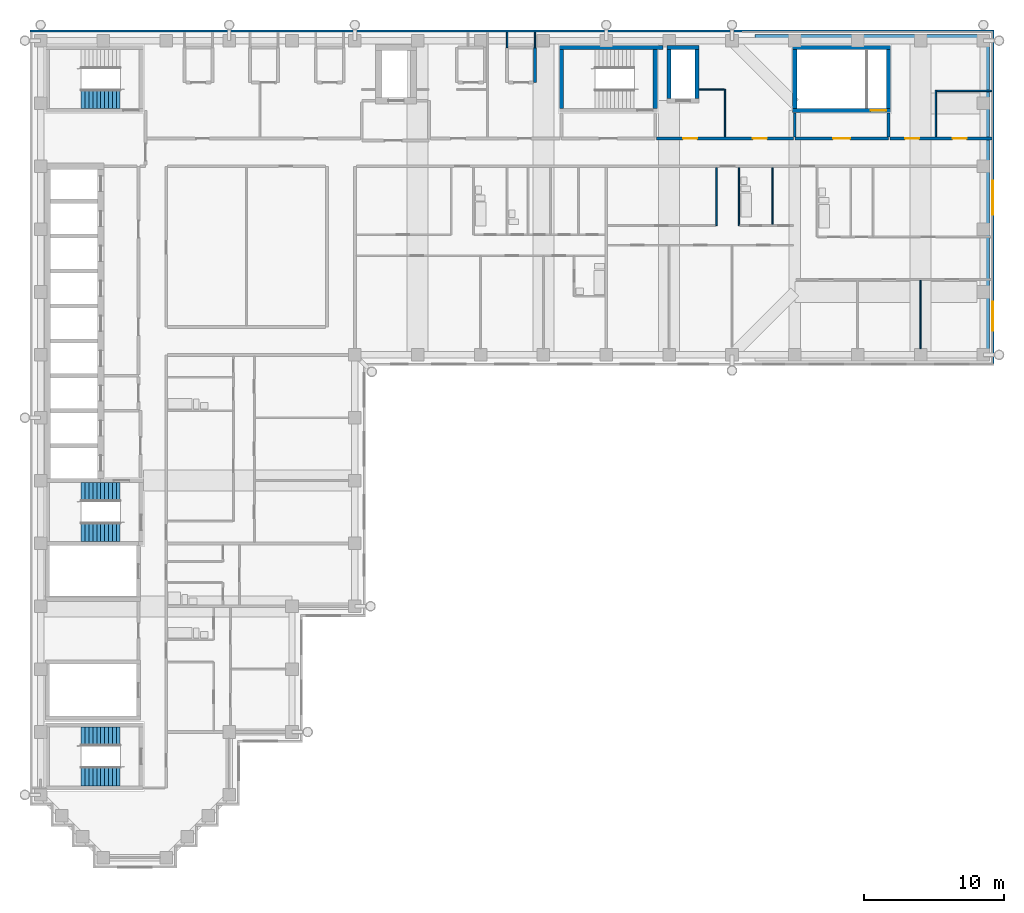
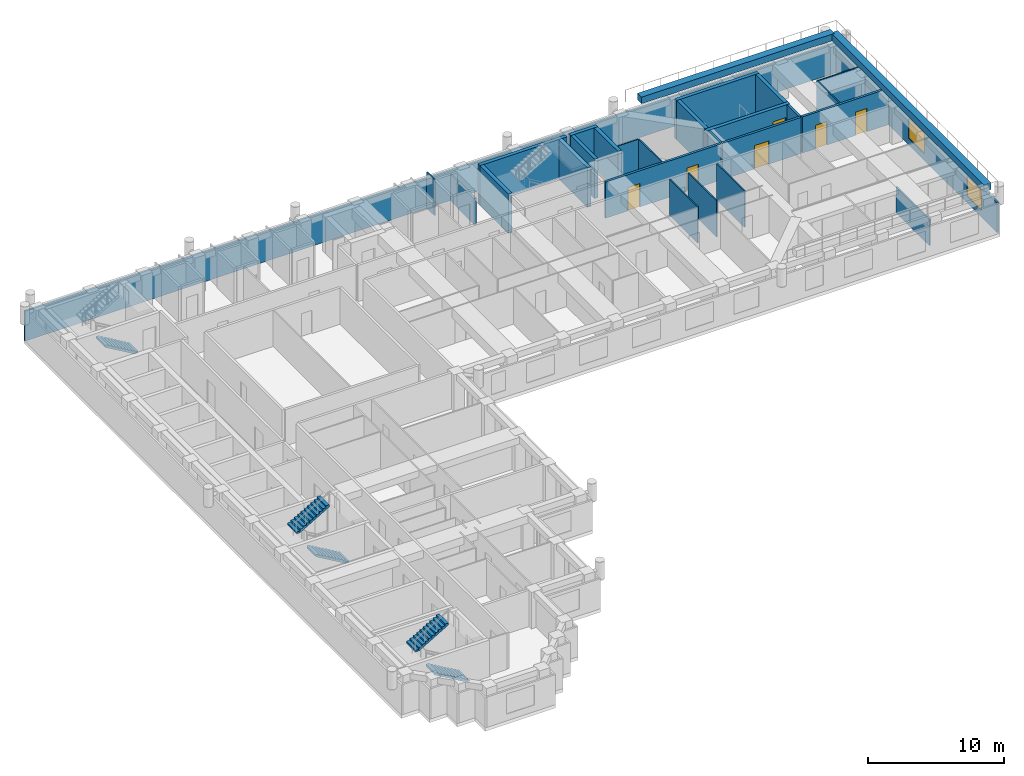
# One storey, part 11 of 14: 30 walls, 6 doors, 5 stair flights, 2 windows, 8 openings, 3 elements without a shape of their own.
"""IFC4 building model written with IfcOpenShell, lengths in metres."""

from ifc_helpers import new_model, si_unit, direction, frame, frame_2d, origin, place, context, subcontext, project, spatial, polyline, rectangle, outline, extrude, material, layer, layer_set, type_object, element, fill, aggregate, save


model = new_model("IFC4")

# Units and contexts
model_context = context("Model", 3, precision=1e-05, world=origin(), true_north=direction((0.0, 1.0)))
body_context = subcontext(model_context, "Body", "Model", "MODEL_VIEW")
ifc_project = project(units=[si_unit("LENGTHUNIT", "METRE"), si_unit("AREAUNIT", "SQUARE_METRE"), si_unit("VOLUMEUNIT", "CUBIC_METRE"), si_unit("PLANEANGLEUNIT", "RADIAN"), si_unit("MASSUNIT", "GRAM", prefix="KILO")], contexts=[model_context])

# Site, building, storey
site_placement = place(None, origin())
site = spatial("IfcSite", under=ifc_project, at=site_placement, CompositionType="ELEMENT")
building_placement = place(site_placement, origin())
building = spatial("IfcBuilding", under=site, at=building_placement, Name="Firuza Court", CompositionType="ELEMENT")
storey_placement = place(building_placement, frame((0.0, 0.0, 182.60009765625)))
storey = spatial("IfcBuildingStorey", under=building, at=storey_placement, Name="L46", CompositionType="ELEMENT", Elevation=182.60009765625)

# Walls
ifc_material_1 = material(Name="Moisture-resistant gypsum board partition")
ifc_layer_1 = layer(ifc_material_1, 0.10009765625)
ifc_layer_set_1 = layer_set([ifc_layer_1], Name="Moisture-resistant gypsum board partition")
wall_type_1 = type_object("IfcWallType", Name="Bathroom partition 100", PredefinedType="PLUMBINGWALL", material=ifc_layer_set_1)
wall_1_placement = place(storey_placement, frame((50.0, 45.25, 0.0), z_axis=(0.0, 0.0, 1.0), x_axis=(0.0, 1.0, 0.0)))
element("IfcWall", 1, at=wall_1_placement, inside=storey, type_object=wall_type_1, Name="Bathroom partition 100 L46", PredefinedType="PLUMBINGWALL", context=body_context, shape_type="SweptSolid", body=[
    extrude(rectangle(XDim=4.14990234375, YDim=0.10009765625, at=frame_2d((2.074951171875, 0.0))), origin(), (0.0, 0.0, 1.0), 3.25),
])
wall_2_placement = place(storey_placement, frame((52.39990234375, 45.300048828125, 0.0), z_axis=(0.0, 0.0, 1.0), x_axis=(0.0, 1.0, 0.0)))
element("IfcWall", 2, at=wall_2_placement, inside=storey, type_object=wall_type_1, Name="Bathroom partition 100 L46", PredefinedType="PLUMBINGWALL", context=body_context, shape_type="SweptSolid", body=[
    extrude(rectangle(XDim=4.099853515625, YDim=0.10009765625, at=frame_2d((2.0498046875, 0.0))), origin(), (0.0, 0.0, 1.0), 3.25),
])
ifc_material_2 = material(Name="Concrete C50/60", Category="concrete")
ifc_layer_2 = layer(ifc_material_2, 0.300048828125)
ifc_layer_set_2 = layer_set([ifc_layer_2], Name="Concrete C50/60")
wall_type_2 = type_object("IfcWallType", Name="Core wall 300 C50/60", PredefinedType="SHEAR", material=ifc_layer_set_2)
wall_3_placement = place(storey_placement, frame((37.14990234375, 58.0, -0.300048828125), z_axis=(0.0, 0.0, 1.0), x_axis=(1.0, 0.0, 0.0)))
element("IfcWall", 3, at=wall_3_placement, inside=storey, type_object=wall_type_2, Name="Core wall stair L46", PredefinedType="SHEAR", context=body_context, shape_type="SweptSolid", body=[
    extrude(rectangle(XDim=7.400146484375, YDim=0.300048828125, at=frame_2d((3.7001953125, 0.0))), origin(), (0.0, 0.0, 1.0), 3.550048828125),
])
for number, where, z_axis, x_axis, name in (
    (4, (37.300048828125, 53.64990234375, -0.300048828125), (0.0, 0.0, 1.0), (0.0, 1.0, 0.0), "Core wall stair L46"),
    (5, (44.0, 53.64990234375, -0.300048828125), (0.0, 0.0, 1.0), (0.0, 1.0, 0.0), "Core wall stair L46"),
):
    element("IfcWall", number, at=place(storey_placement, frame(where, z_axis=z_axis, x_axis=x_axis)), inside=storey, type_object=wall_type_2, Name=name, PredefinedType="SHEAR", context=body_context, shape_type="SweptSolid", body=[
        extrude(rectangle(XDim=4.2001953125, YDim=0.300048828125, at=frame_2d((2.10009765625, 0.0))), origin(), (0.0, 0.0, 1.0), 3.550048828125),
    ])
wall_4_placement = place(storey_placement, frame((44.85009765625, 58.0, -0.300048828125), z_axis=(0.0, 0.0, 1.0), x_axis=(1.0, 0.0, 0.0)))
element("IfcWall", 6, at=wall_4_placement, inside=storey, type_object=wall_type_2, Name="Core wall riser L46", PredefinedType="SHEAR", context=body_context, shape_type="SweptSolid", body=[
    extrude(rectangle(XDim=2.2998046875, YDim=0.300048828125, at=frame_2d((1.14990234375, 0.0))), origin(), (0.0, 0.0, 1.0), 3.550048828125),
])
for number, where, z_axis, x_axis, name in (
    (7, (45.0, 54.35009765625, -0.300048828125), (0.0, 0.0, 1.0), (0.0, 1.0, 0.0), "Core wall riser L46"),
    (8, (47.0, 54.35009765625, -0.300048828125), (0.0, 0.0, 1.0), (0.0, 1.0, 0.0), "Core wall riser L46"),
):
    element("IfcWall", number, at=place(storey_placement, frame(where, z_axis=z_axis, x_axis=x_axis)), inside=storey, type_object=wall_type_2, Name=name, PredefinedType="SHEAR", context=body_context, shape_type="SweptSolid", body=[
        extrude(rectangle(XDim=3.5, YDim=0.300048828125, at=frame_2d((1.75, 0.0))), origin(), (0.0, 0.0, 1.0), 3.550048828125),
    ])

# Wall, opening, door
wall_5_placement = place(storey_placement, frame((53.85009765625, 53.5, -0.300048828125), z_axis=(0.0, 0.0, 1.0), x_axis=(1.0, 0.0, 0.0)))
wall_5 = element("IfcWall", 9, at=wall_5_placement, inside=storey, type_object=wall_type_2, Name="Core wall stair L46", PredefinedType="SHEAR", context=body_context, shape_type="SweptSolid", body=[
    extrude(rectangle(XDim=7.0, YDim=0.300048828125, at=frame_2d((3.5, 0.0))), origin(), (0.0, 0.0, 1.0), 3.550048828125),
])
opening_1_placement = place(wall_5_placement, frame((5.580078125, 0.0, 0.300048828125)))
opening_1 = element("IfcOpeningElement", 10, at=opening_1_placement, cuts=wall_5, Name="Opening D46016", PredefinedType="OPENING", context=body_context, shape_type="SweptSolid", body=[
    extrude(rectangle(XDim=1.10009765625, YDim=2.10009765625, at=frame_2d((0.550048828125, 1.050048828125))), frame((0.0, 0.162109375, 0.0), z_axis=(0.0, -1.0, 0.0), x_axis=(1.0, 0.0, 0.0)), (0.0, 0.0, 1.0), 0.323974609375),
])
ifc_material_3 = material(Name="Timber door leaf in hardwood frame", Category="wood")
door_type_1 = type_object("IfcDoorType", Name="Stair door 1100", OperationType="SINGLE_SWING_LEFT", PredefinedType="DOOR", material=ifc_material_3)
door_1_placement = place(opening_1_placement, origin())
door_1 = element("IfcDoor", 11, at=door_1_placement, inside=storey, type_object=door_type_1, Name="Stair door S4", OperationType="SINGLE_SWING_RIGHT", OverallHeight=2.10009765625, OverallWidth=1.10009765625, PredefinedType="DOOR", context=body_context, shape_type="SweptSolid", body=[
    extrude(rectangle(XDim=1.10009765625, YDim=2.10009765625, at=frame_2d((0.550048828125, 1.050048828125))), frame((0.0, 0.02490234375, 0.0), z_axis=(0.0, -1.0, 0.0), x_axis=(1.0, 0.0, 0.0)), (0.0, 0.0, 1.0), 0.050048828125),
])
fill(opening_1, door_1)

# Walls
wall_6_placement = place(storey_placement, frame((53.85009765625, 58.0, -0.300048828125), z_axis=(0.0, 0.0, 1.0), x_axis=(1.0, 0.0, 0.0)))
element("IfcWall", 12, at=wall_6_placement, inside=storey, type_object=wall_type_2, Name="Core wall stair L46", PredefinedType="SHEAR", context=body_context, shape_type="SweptSolid", body=[
    extrude(rectangle(XDim=7.0, YDim=0.300048828125, at=frame_2d((3.5, 0.0))), origin(), (0.0, 0.0, 1.0), 3.550048828125),
])
for number, where, z_axis, x_axis, name in (
    (13, (54.0, 53.64990234375, -0.300048828125), (0.0, 0.0, 1.0), (0.0, 1.0, 0.0), "Core wall stair L46"),
    (14, (60.699951171875, 53.64990234375, -0.300048828125), (0.0, 0.0, 1.0), (0.0, 1.0, 0.0), "Core wall stair L46"),
):
    element("IfcWall", number, at=place(storey_placement, frame(where, z_axis=z_axis, x_axis=x_axis)), inside=storey, type_object=wall_type_2, Name=name, PredefinedType="SHEAR", context=body_context, shape_type="SweptSolid", body=[
        extrude(rectangle(XDim=4.2001953125, YDim=0.300048828125, at=frame_2d((2.10009765625, 0.0))), origin(), (0.0, 0.0, 1.0), 3.550048828125),
    ])

# Wall, openings, doors
ifc_material_4 = material(Name="Blockwork, plastered both sides", Category="masonry")
ifc_layer_3 = layer(ifc_material_4, 0.199951171875)
ifc_layer_set_3 = layer_set([ifc_layer_3], Name="Blockwork, plastered both sides")
wall_type_3 = type_object("IfcWallType", Name="Corridor wall 200", PredefinedType="PARTITIONING", material=ifc_layer_set_3)
wall_7_placement = place(storey_placement, frame((44.10009765625, 51.5, 0.0), z_axis=(0.0, 0.0, 1.0), x_axis=(1.0, 0.0, 0.0)))
wall_7 = element("IfcWall", 15, at=wall_7_placement, inside=storey, type_object=wall_type_3, Name="Corridor wall 200 L46", PredefinedType="PARTITIONING", context=body_context, shape_type="SweptSolid", body=[
    extrude(rectangle(XDim=9.7998046875, YDim=0.199951171875, at=frame_2d((4.89990234375, 0.0))), origin(), (0.0, 0.0, 1.0), 3.25),
])
opening_2_placement = place(wall_7_placement, frame((1.89990234375, 0.0, 0.0)))
opening_2 = element("IfcOpeningElement", 16, at=opening_2_placement, cuts=wall_7, Name="Opening D46067", PredefinedType="OPENING", context=body_context, shape_type="SweptSolid", body=[
    extrude(rectangle(XDim=1.0, YDim=2.10009765625, at=frame_2d((0.5, 1.050048828125))), frame((0.0, 0.11181640625, 0.0), z_axis=(0.0, -1.0, 0.0), x_axis=(1.0, 0.0, 0.0)), (0.0, 0.0, 1.0), 0.223876953125),
])
opening_3_placement = place(wall_7_placement, frame((6.89990234375, 0.0, 0.0)))
opening_3 = element("IfcOpeningElement", 17, at=opening_3_placement, cuts=wall_7, Name="Opening D46068", PredefinedType="OPENING", context=body_context, shape_type="SweptSolid", body=[
    extrude(rectangle(XDim=1.0, YDim=2.10009765625, at=frame_2d((0.5, 1.050048828125))), frame((0.0, 0.11181640625, 0.0), z_axis=(0.0, -1.0, 0.0), x_axis=(1.0, 0.0, 0.0)), (0.0, 0.0, 1.0), 0.223876953125),
])
ifc_material_5 = material(Name="Timber door leaf in hardwood frame", Category="wood")
door_type_2 = type_object("IfcDoorType", Name="Store door 1000", OperationType="SINGLE_SWING_LEFT", PredefinedType="DOOR", material=ifc_material_5)
door_2_placement = place(opening_2_placement, origin())
door_2 = element("IfcDoor", 18, at=door_2_placement, inside=storey, type_object=door_type_2, Name="Cleaner's store door", OperationType="SINGLE_SWING_LEFT", OverallHeight=2.10009765625, OverallWidth=1.0, PredefinedType="DOOR", context=body_context, shape_type="SweptSolid", body=[
    extrude(rectangle(XDim=1.0, YDim=2.10009765625, at=frame_2d((0.5, 1.050048828125))), frame((0.0, 0.02490234375, 0.0), z_axis=(0.0, -1.0, 0.0), x_axis=(1.0, 0.0, 0.0)), (0.0, 0.0, 1.0), 0.050048828125),
])
fill(opening_2, door_2)
door_3_placement = place(opening_3_placement, origin())
door_3 = element("IfcDoor", 19, at=door_3_placement, inside=storey, type_object=door_type_2, Name="Bicycle store door", OperationType="SINGLE_SWING_RIGHT", OverallHeight=2.10009765625, OverallWidth=1.0, PredefinedType="DOOR", context=body_context, shape_type="SweptSolid", body=[
    extrude(rectangle(XDim=1.0, YDim=2.10009765625, at=frame_2d((0.5, 1.050048828125))), frame((0.0, 0.02490234375, 0.0), z_axis=(0.0, -1.0, 0.0), x_axis=(1.0, 0.0, 0.0)), (0.0, 0.0, 1.0), 0.050048828125),
])
fill(opening_3, door_3)

wall_8_placement = place(storey_placement, frame((60.800048828125, 51.5, 0.0), z_axis=(0.0, 0.0, 1.0), x_axis=(1.0, 0.0, 0.0)))
wall_8 = element("IfcWall", 20, at=wall_8_placement, inside=storey, type_object=wall_type_3, Name="Corridor wall 200 L46", PredefinedType="PARTITIONING", context=body_context, shape_type="SweptSolid", body=[
    extrude(rectangle(XDim=7.300048828125, YDim=0.199951171875, at=frame_2d((3.64990234375, 0.0))), origin(), (0.0, 0.0, 1.0), 3.25),
])
opening_4_placement = place(wall_8_placement, frame((1.10009765625, 0.0, 0.0)))
opening_4 = element("IfcOpeningElement", 21, at=opening_4_placement, cuts=wall_8, Name="Opening D46069", PredefinedType="OPENING", context=body_context, shape_type="SweptSolid", body=[
    extrude(rectangle(XDim=1.0, YDim=2.10009765625, at=frame_2d((0.5, 1.050048828125))), frame((0.0, 0.11181640625, 0.0), z_axis=(0.0, -1.0, 0.0), x_axis=(1.0, 0.0, 0.0)), (0.0, 0.0, 1.0), 0.223876953125),
])
opening_5_placement = place(wall_8_placement, frame((4.5, 0.0, 0.0)))
opening_5 = element("IfcOpeningElement", 22, at=opening_5_placement, cuts=wall_8, Name="Opening D46070", PredefinedType="OPENING", context=body_context, shape_type="SweptSolid", body=[
    extrude(rectangle(XDim=1.0, YDim=2.10009765625, at=frame_2d((0.5, 1.050048828125))), frame((0.0, 0.11181640625, 0.0), z_axis=(0.0, -1.0, 0.0), x_axis=(1.0, 0.0, 0.0)), (0.0, 0.0, 1.0), 0.223876953125),
])
door_4_placement = place(opening_4_placement, origin())
door_4 = element("IfcDoor", 23, at=door_4_placement, inside=storey, type_object=door_type_2, Name="Comms room door", OperationType="SINGLE_SWING_LEFT", OverallHeight=2.10009765625, OverallWidth=1.0, PredefinedType="DOOR", context=body_context, shape_type="SweptSolid", body=[
    extrude(rectangle(XDim=1.0, YDim=2.10009765625, at=frame_2d((0.5, 1.050048828125))), frame((0.0, 0.02490234375, 0.0), z_axis=(0.0, -1.0, 0.0), x_axis=(1.0, 0.0, 0.0)), (0.0, 0.0, 1.0), 0.050048828125),
])
fill(opening_4, door_4)
door_5_placement = place(opening_5_placement, origin())
door_5 = element("IfcDoor", 24, at=door_5_placement, inside=storey, type_object=door_type_2, Name="Cleaner's store door", OperationType="SINGLE_SWING_LEFT", OverallHeight=2.10009765625, OverallWidth=1.0, PredefinedType="DOOR", context=body_context, shape_type="SweptSolid", body=[
    extrude(rectangle(XDim=1.0, YDim=2.10009765625, at=frame_2d((0.5, 1.050048828125))), frame((0.0, 0.02490234375, 0.0), z_axis=(0.0, -1.0, 0.0), x_axis=(1.0, 0.0, 0.0)), (0.0, 0.0, 1.0), 0.050048828125),
])
fill(opening_5, door_5)

# Walls
ifc_material_6 = material(Name="Timber stud partition, plasterboard both sides", Category="wood")
ifc_layer_4 = layer(ifc_material_6, 0.10009765625)
ifc_layer_set_4 = layer_set([ifc_layer_4], Name="Timber stud partition, plasterboard both sides")
wall_type_4 = type_object("IfcWallType", Name="Partition wall 100", PredefinedType="PARTITIONING", material=ifc_layer_set_4)
wall_9_placement = place(storey_placement, frame((63.0, 36.449951171875, 0.0), z_axis=(0.0, 0.0, 1.0), x_axis=(0.0, 1.0, 0.0)))
element("IfcWall", 25, at=wall_9_placement, inside=storey, type_object=wall_type_4, Name="Partition wall 100 L46", PredefinedType="PARTITIONING", context=body_context, shape_type="SweptSolid", body=[
    extrude(rectangle(XDim=4.900146484375, YDim=0.10009765625, at=frame_2d((2.4501953125, 0.0))), origin(), (0.0, 0.0, 1.0), 2.349853515625),
])
wall_10_placement = place(storey_placement, frame((48.39990234375, 45.25, 0.0), z_axis=(0.0, 0.0, 1.0), x_axis=(0.0, 1.0, 0.0)))
element("IfcWall", 26, at=wall_10_placement, inside=storey, type_object=wall_type_4, Name="Partition wall 100 L46", PredefinedType="PARTITIONING", context=body_context, shape_type="SweptSolid", body=[
    extrude(rectangle(XDim=4.14990234375, YDim=0.10009765625, at=frame_2d((2.074951171875, 0.0))), origin(), (0.0, 0.0, 1.0), 3.25),
])
wall_11_placement = place(storey_placement, frame((49.0, 51.60009765625, 0.0), z_axis=(0.0, 0.0, 1.0), x_axis=(0.0, 1.0, 0.0)))
element("IfcWall", 27, at=wall_11_placement, inside=storey, type_object=wall_type_4, Name="Partition wall 100 L46", PredefinedType="PARTITIONING", context=body_context, shape_type="SweptSolid", body=[
    extrude(rectangle(XDim=3.39990234375, YDim=0.10009765625, at=frame_2d((1.699951171875, 0.0))), origin(), (0.0, 0.0, 1.0), 3.25),
])
wall_12_placement = place(storey_placement, frame((64.10009765625, 51.60009765625, 0.0), z_axis=(0.0, 0.0, 1.0), x_axis=(0.0, 1.0, 0.0)))
element("IfcWall", 28, at=wall_12_placement, inside=storey, type_object=wall_type_4, Name="Partition wall 100 L46", PredefinedType="PARTITIONING", context=body_context, shape_type="SweptSolid", body=[
    extrude(rectangle(XDim=3.349853515625, YDim=0.10009765625, at=frame_2d((1.6748046875, 0.0))), origin(), (0.0, 0.0, 1.0), 3.25),
])
wall_13_placement = place(storey_placement, frame((64.14990234375, 54.89990234375, 0.0), z_axis=(0.0, 0.0, 1.0), x_axis=(1.0, 0.0, 0.0)))
element("IfcWall", 29, at=wall_13_placement, inside=storey, type_object=wall_type_4, Name="Partition wall 100 L46", PredefinedType="PARTITIONING", context=body_context, shape_type="SweptSolid", body=[
    extrude(rectangle(XDim=3.9501953125, YDim=0.10009765625, at=frame_2d((1.97509765625, 0.0))), origin(), (0.0, 0.0, 1.0), 3.25),
])
wall_14_placement = place(storey_placement, frame((47.14990234375, 55.0, 0.0), z_axis=(0.0, 0.0, 1.0), x_axis=(1.0, 0.0, 0.0)))
element("IfcWall", 30, at=wall_14_placement, inside=storey, type_object=wall_type_4, Name="Partition wall 100 L46", PredefinedType="PARTITIONING", context=body_context, shape_type="SweptSolid", body=[
    extrude(rectangle(XDim=1.800048828125, YDim=0.10009765625, at=frame_2d((0.89990234375, 0.0))), origin(), (0.0, 0.0, 1.0), 3.25),
])
wall_15_placement = place(storey_placement, frame((33.39990234375, 58.0, 0.0), z_axis=(0.0, 0.0, 1.0), x_axis=(0.0, 1.0, 0.0)))
element("IfcWall", 31, at=wall_15_placement, inside=storey, type_object=wall_type_4, Name="Partition wall 100 L46", PredefinedType="PARTITIONING", context=body_context, shape_type="SweptSolid", body=[
    extrude(rectangle(XDim=1.10009765625, YDim=0.10009765625, at=frame_2d((0.550048828125, 0.0))), origin(), (0.0, 0.0, 1.0), 3.25),
])
wall_16_placement = place(storey_placement, frame((35.39990234375, 58.0, 0.0), z_axis=(0.0, 0.0, 1.0), x_axis=(0.0, 1.0, 0.0)))
element("IfcWall", 32, at=wall_16_placement, inside=storey, type_object=wall_type_4, Name="Partition wall 100 L46", PredefinedType="PARTITIONING", context=body_context, shape_type="SweptSolid", body=[
    extrude(rectangle(XDim=1.10009765625, YDim=0.10009765625, at=frame_2d((0.550048828125, 0.0))), origin(), (0.0, 0.0, 1.0), 2.349853515625),
])
ifc_material_7 = material(Name="Blockwork, fire-rated", Category="masonry")
ifc_layer_5 = layer(ifc_material_7, 0.199951171875)
ifc_layer_set_5 = layer_set([ifc_layer_5], Name="Blockwork, fire-rated")
wall_type_5 = type_object("IfcWallType", Name="Plant room wall 200", PredefinedType="PARTITIONING", material=ifc_layer_set_5)
wall_17_placement = place(storey_placement, frame((35.39990234375, 55.5, 0.0), z_axis=(0.0, 0.0, 1.0), x_axis=(0.0, 1.0, 0.0)))
element("IfcWall", 33, at=wall_17_placement, inside=storey, type_object=wall_type_5, Name="Plant room wall 200 L46", PredefinedType="PARTITIONING", context=body_context, shape_type="SweptSolid", body=[
    extrude(rectangle(XDim=2.5, YDim=0.199951171875, at=frame_2d((1.25, 0.0))), origin(), (0.0, 0.0, 1.0), 2.349853515625),
])

# Wall, openings, windows
ifc_material_8 = material(Name="Ceramic tile", Category="ceramic")
ifc_layer_6 = layer(ifc_material_8, 0.02001953125)
ifc_material_9 = material(Name="Mineral wool insulation", Category="insulation")
ifc_layer_7 = layer(ifc_material_9, 0.050048828125)
ifc_material_10 = material(Name="Concrete C40/50 precast", Category="concrete")
ifc_layer_8 = layer(ifc_material_10, 0.080078125)
ifc_layer_set_6 = layer_set([ifc_layer_6, ifc_layer_7, ifc_layer_8], Name="Concrete C40/50 precast")
wall_type_6 = type_object("IfcWallType", Name="Precast cladding wall with turquoise TILE PANEL face 150", PredefinedType="STANDARD", material=ifc_layer_set_6)
wall_18_placement = place(storey_placement, frame((68.175048828125, 35.39990234375, 0.0), z_axis=(0.0, 0.0, 1.0), x_axis=(0.0, 1.0, 0.0)))
wall_18 = element("IfcWall", 34, at=wall_18_placement, inside=storey, type_object=wall_type_6, Name="Facade wall L46 E", PredefinedType="STANDARD", context=body_context, shape_type="SweptSolid", body=[
    extrude(rectangle(XDim=23.85009765625, YDim=0.14990234375, at=frame_2d((11.925048828125, 0.0))), origin(), (0.0, 0.0, 1.0), 2.699951171875),
])
opening_6_placement = place(wall_18_placement, frame((2.31103515625, 0.0, 0.60009765625)))
opening_6 = element("IfcOpeningElement", 35, at=opening_6_placement, cuts=wall_18, Name="Opening W6", PredefinedType="OPENING", context=body_context, shape_type="SweptSolid", body=[
    extrude(rectangle(XDim=2.10009765625, YDim=1.800048828125, at=frame_2d((1.050048828125, 0.89990234375))), frame((0.0, 0.0869140625, 0.0), z_axis=(0.0, -1.0, 0.0), x_axis=(1.0, 0.0, 0.0)), (0.0, 0.0, 1.0), 0.173828125),
])
opening_7_placement = place(wall_18_placement, frame((10.64990234375, 0.0, 0.60009765625)))
opening_7 = element("IfcOpeningElement", 36, at=opening_7_placement, cuts=wall_18, Name="Opening W1", PredefinedType="OPENING", context=body_context, shape_type="SweptSolid", body=[
    extrude(rectangle(XDim=2.39990234375, YDim=1.800048828125, at=frame_2d((1.199951171875, 0.89990234375))), frame((0.0, 0.0869140625, 0.0), z_axis=(0.0, -1.0, 0.0), x_axis=(1.0, 0.0, 0.0)), (0.0, 0.0, 1.0), 0.173828125),
])
ifc_material_11 = material(Name="Aluminium frame, triple clear glazing", Category="aluminium")
window_type_1 = type_object("IfcWindowType", Name="Window W1 2400 x 1800", PartitioningType="SINGLE_PANEL", PredefinedType="WINDOW", material=ifc_material_11)
window_1_placement = place(opening_7_placement, origin())
window_1 = element("IfcWindow", 37, at=window_1_placement, inside=storey, type_object=window_type_1, Name="Window L46", OverallHeight=1.800048828125, OverallWidth=2.39990234375, PartitioningType="SINGLE_PANEL", PredefinedType="WINDOW", context=body_context, shape_type="SweptSolid", body=[
    extrude(rectangle(XDim=2.39990234375, YDim=1.800048828125, at=frame_2d((1.199951171875, 0.89990234375))), frame((0.0, 0.030029296875, 0.0), z_axis=(0.0, -1.0, 0.0), x_axis=(1.0, 0.0, 0.0)), (0.0, 0.0, 1.0), 0.06005859375),
])
fill(opening_7, window_1)
ifc_material_12 = material(Name="Aluminium frame, triple clear glazing", Category="aluminium")
window_type_2 = type_object("IfcWindowType", Name="Window W6 2100 x 1800", PartitioningType="SINGLE_PANEL", PredefinedType="WINDOW", material=ifc_material_12)
window_2_placement = place(opening_6_placement, origin())
window_2 = element("IfcWindow", 38, at=window_2_placement, inside=storey, type_object=window_type_2, Name="Window L46", OverallHeight=1.800048828125, OverallWidth=2.10009765625, PartitioningType="SINGLE_PANEL", PredefinedType="WINDOW", context=body_context, shape_type="SweptSolid", body=[
    extrude(rectangle(XDim=2.10009765625, YDim=1.800048828125, at=frame_2d((1.050048828125, 0.89990234375))), frame((0.0, 0.030029296875, 0.0), z_axis=(0.0, -1.0, 0.0), x_axis=(1.0, 0.0, 0.0)), (0.0, 0.0, 1.0), 0.06005859375),
])
fill(opening_6, window_2)

# Wall
wall_19_placement = place(storey_placement, frame((68.10009765625, 59.175048828125, 0.0), z_axis=(0.0, 0.0, 1.0), x_axis=(-1.0, 0.0, 0.0)))
element("IfcWall", 39, at=wall_19_placement, inside=storey, type_object=wall_type_6, Name="Facade wall L46 N", PredefinedType="STANDARD", context=body_context, shape_type="SweptSolid", body=[
    extrude(rectangle(XDim=68.85009765625, YDim=0.14990234375, at=frame_2d((34.425048828125, 0.0))), origin(), (0.0, 0.0, 1.0), 2.699951171875),
])

# Wall, opening, door
ifc_layer_9 = layer(ifc_material_7, 0.199951171875)
ifc_layer_set_7 = layer_set([ifc_layer_9], Name="Blockwork, fire-rated")
wall_type_7 = type_object("IfcWallType", Name="Shaft wall 200", PredefinedType="PARTITIONING", material=ifc_layer_set_7)
wall_20_placement = place(storey_placement, frame((54.0, 51.5, 0.0), z_axis=(0.0, 0.0, 1.0), x_axis=(1.0, 0.0, 0.0)))
wall_20 = element("IfcWall", 40, at=wall_20_placement, inside=storey, type_object=wall_type_7, Name="Shaft wall 200 L46", PredefinedType="PARTITIONING", context=body_context, shape_type="SweptSolid", body=[
    extrude(rectangle(XDim=6.699951171875, YDim=0.199951171875, at=frame_2d((3.35009765625, 0.0))), origin(), (0.0, 0.0, 1.0), 3.25),
])
opening_8_placement = place(wall_20_placement, frame((2.75, 0.0, 0.0)))
opening_8 = element("IfcOpeningElement", 41, at=opening_8_placement, cuts=wall_20, Name="Opening D46007", PredefinedType="OPENING", context=body_context, shape_type="SweptSolid", body=[
    extrude(rectangle(XDim=1.199951171875, YDim=2.10009765625, at=frame_2d((0.60009765625, 1.050048828125))), frame((0.0, 0.11181640625, 0.0), z_axis=(0.0, -1.0, 0.0), x_axis=(1.0, 0.0, 0.0)), (0.0, 0.0, 1.0), 0.223876953125),
])
ifc_material_13 = material(Name="Timber door leaf in hardwood frame", Category="wood")
door_type_3 = type_object("IfcDoorType", Name="Lobby door 1200", OperationType="SINGLE_SWING_LEFT", PredefinedType="DOOR", material=ifc_material_13)
door_6_placement = place(opening_8_placement, origin())
door_6 = element("IfcDoor", 42, at=door_6_placement, inside=storey, type_object=door_type_3, Name="Lobby door", OperationType="SINGLE_SWING_LEFT", OverallHeight=2.10009765625, OverallWidth=1.199951171875, PredefinedType="DOOR", context=body_context, shape_type="SweptSolid", body=[
    extrude(rectangle(XDim=1.199951171875, YDim=2.10009765625, at=frame_2d((0.60009765625, 1.050048828125))), frame((0.0, 0.02490234375, 0.0), z_axis=(0.0, -1.0, 0.0), x_axis=(1.0, 0.0, 0.0)), (0.0, 0.0, 1.0), 0.050048828125),
])
fill(opening_8, door_6)

# Walls
for number, where, z_axis, x_axis, name in (
    (43, (60.699951171875, 51.60009765625, 0.0), (0.0, 0.0, 1.0), (0.0, 1.0, 0.0), "Shaft wall 200 L46"),
    (44, (54.0, 51.60009765625, 0.0), (0.0, 0.0, 1.0), (0.0, 1.0, 0.0), "Shaft wall 200 L46"),
):
    element("IfcWall", number, at=place(storey_placement, frame(where, z_axis=z_axis, x_axis=x_axis)), inside=storey, type_object=wall_type_7, Name=name, PredefinedType="PARTITIONING", context=body_context, shape_type="SweptSolid", body=[
        extrude(rectangle(XDim=1.72998046875, YDim=0.199951171875, at=frame_2d((0.864990234375, 0.0))), origin(), (0.0, 0.0, 1.0), 3.25),
    ])
ifc_layer_10 = layer(ifc_material_8, 0.02001953125)
ifc_layer_11 = layer(ifc_material_10, 0.14990234375)
ifc_material_14 = material(Name="Planting soil", Category="soil")
ifc_layer_12 = layer(ifc_material_14, 0.429931640625)
ifc_layer_set_8 = layer_set([ifc_layer_10, ifc_layer_11, ifc_layer_12], Name="Concrete C40/50 precast")
wall_type_8 = type_object("IfcWallType", Name="Terrace planter 600", PredefinedType="STANDARD", material=ifc_layer_set_8)
wall_21_placement = place(storey_placement, frame((51.14990234375, 58.6298828125, 3.599853515625), z_axis=(0.0, 0.0, 1.0), x_axis=(1.0, 0.0, 0.0)))
element("IfcWall", 45, at=wall_21_placement, inside=storey, type_object=wall_type_8, Name="PLANTER L46", PredefinedType="STANDARD", context=body_context, shape_type="SweptSolid", body=[
    extrude(rectangle(XDim=16.380126953125, YDim=0.60009765625, at=frame_2d((8.18994140625, 0.0))), origin(), (0.0, 0.0, 1.0), 0.60009765625),
])
wall_22_placement = place(storey_placement, frame((67.6298828125, 58.530029296875, 3.599853515625), z_axis=(0.0, 0.0, 1.0), x_axis=(0.0, -1.0, 0.0)))
element("IfcWall", 46, at=wall_22_placement, inside=storey, type_object=wall_type_8, Name="PLANTER L46", PredefinedType="STANDARD", context=body_context, shape_type="SweptSolid", body=[
    extrude(rectangle(XDim=22.56005859375, YDim=0.60009765625, at=frame_2d((11.280029296875, 0.0))), origin(), (0.0, 0.0, 1.0), 0.60009765625),
])

# Stair, stair flights
ifc_material_15 = material(Name="Concrete C40/50 precast", Category="concrete")
stair_type = type_object("IfcStairType", Name="Stair 1350 x 3600 2 flights", PredefinedType="HALF_TURN_STAIR", material=ifc_material_15)
stair_1_placement = place(storey_placement, origin())
stair_1 = element("IfcStair", 47, at=stair_1_placement, inside=storey, type_object=stair_type, Name="Stair 2 L46", PredefinedType="HALF_TURN_STAIR")
ifc_material_16 = material(Name="Concrete C40/50 precast", Category="concrete")
stair_flight_type = type_object("IfcStairFlightType", Name="Flight 1350 riser 163.6", PredefinedType="STRAIGHT", material=ifc_material_16)
stair_flight_1_placement = place(storey_placement, frame((5.699951171875, 23.324951171875, 0.0), z_axis=(0.0, 0.0, 1.0), x_axis=(-1.0, 0.0, 0.0)))
stair_flight_1 = element("IfcStairFlight", 48, at=stair_flight_1_placement, type_object=stair_flight_type, Name="S2 flight 1", NumberOfRisers=11, NumberOfTreads=10, PredefinedType="STRAIGHT", RiserHeight=0.163636364, TreadLength=0.28, context=body_context, shape_type="SweptSolid", body=[
    extrude(outline(polyline([(0.0, 0.0), (0.0, 0.16357421875), (0.280029296875, 0.16357421875), (0.280029296875, 0.327392578125), (0.56005859375, 0.327392578125), (0.56005859375, 0.490966796875), (0.840087890625, 0.490966796875), (0.840087890625, 0.654541015625), (1.1201171875, 0.654541015625), (1.1201171875, 0.818115234375), (1.39990234375, 0.818115234375), (1.39990234375, 0.98193359375), (1.679931640625, 0.98193359375), (1.679931640625, 1.1455078125), (1.9599609375, 1.1455078125), (1.9599609375, 1.30908203125), (2.239990234375, 1.30908203125), (2.239990234375, 1.47265625), (2.52001953125, 1.47265625), (2.52001953125, 1.636474609375), (2.800048828125, 1.636474609375), (2.800048828125, 1.800048828125), (2.800048828125, 1.462646484375), (0.297119140625, 0.0), (0.0, 0.0)])), frame((0.0, 0.675048828125, 0.0), z_axis=(0.0, -1.0, 0.0), x_axis=(1.0, 0.0, 0.0)), (0.0, 0.0, 1.0), 1.35009765625),
])
stair_flight_2_placement = place(storey_placement, frame((2.89990234375, 26.175048828125, 1.7998046875), z_axis=(0.0, 0.0, 1.0), x_axis=(1.0, 0.0, 0.0)))
stair_flight_2 = element("IfcStairFlight", 49, at=stair_flight_2_placement, type_object=stair_flight_type, Name="S2 flight 2", NumberOfRisers=11, NumberOfTreads=10, PredefinedType="STRAIGHT", RiserHeight=0.163636364, TreadLength=0.28, context=body_context, shape_type="SweptSolid", body=[
    extrude(outline(polyline([(0.0, 0.0), (0.0, 0.16357421875), (0.280029296875, 0.16357421875), (0.280029296875, 0.327392578125), (0.56005859375, 0.327392578125), (0.56005859375, 0.490966796875), (0.840087890625, 0.490966796875), (0.840087890625, 0.654541015625), (1.1201171875, 0.654541015625), (1.1201171875, 0.818115234375), (1.39990234375, 0.818115234375), (1.39990234375, 0.98193359375), (1.679931640625, 0.98193359375), (1.679931640625, 1.1455078125), (1.9599609375, 1.1455078125), (1.9599609375, 1.30908203125), (2.239990234375, 1.30908203125), (2.239990234375, 1.47265625), (2.52001953125, 1.47265625), (2.52001953125, 1.636474609375), (2.800048828125, 1.636474609375), (2.800048828125, 1.800048828125), (2.800048828125, 1.462646484375), (0.297119140625, 0.0), (0.0, 0.0)])), frame((0.0, 0.675048828125, 0.0), z_axis=(0.0, -1.0, 0.0), x_axis=(1.0, 0.0, 0.0)), (0.0, 0.0, 1.0), 1.35009765625),
])
aggregate(stair_1, [stair_flight_1, stair_flight_2])

# Stair, stair flight
stair_2_placement = place(storey_placement, origin())
stair_2 = element("IfcStair", 50, at=stair_2_placement, inside=storey, type_object=stair_type, Name="Stair 3 L46", PredefinedType="HALF_TURN_STAIR")
stair_flight_3_placement = place(storey_placement, frame((5.699951171875, 54.324951171875, 0.0), z_axis=(0.0, 0.0, 1.0), x_axis=(-1.0, 0.0, 0.0)))
stair_flight_3 = element("IfcStairFlight", 51, at=stair_flight_3_placement, type_object=stair_flight_type, Name="S3 flight 1", NumberOfRisers=11, NumberOfTreads=10, PredefinedType="STRAIGHT", RiserHeight=0.163636364, TreadLength=0.28, context=body_context, shape_type="SweptSolid", body=[
    extrude(outline(polyline([(0.0, 0.0), (0.0, 0.16357421875), (0.280029296875, 0.16357421875), (0.280029296875, 0.327392578125), (0.56005859375, 0.327392578125), (0.56005859375, 0.490966796875), (0.840087890625, 0.490966796875), (0.840087890625, 0.654541015625), (1.1201171875, 0.654541015625), (1.1201171875, 0.818115234375), (1.39990234375, 0.818115234375), (1.39990234375, 0.98193359375), (1.679931640625, 0.98193359375), (1.679931640625, 1.1455078125), (1.9599609375, 1.1455078125), (1.9599609375, 1.30908203125), (2.239990234375, 1.30908203125), (2.239990234375, 1.47265625), (2.52001953125, 1.47265625), (2.52001953125, 1.636474609375), (2.800048828125, 1.636474609375), (2.800048828125, 1.800048828125), (2.800048828125, 1.462646484375), (0.297119140625, 0.0), (0.0, 0.0)])), frame((0.0, 0.675048828125, 0.0), z_axis=(0.0, -1.0, 0.0), x_axis=(1.0, 0.0, 0.0)), (0.0, 0.0, 1.0), 1.35009765625),
])
aggregate(stair_2, [stair_flight_3])

# Stair, stair flights
stair_3_placement = place(storey_placement, origin())
stair_3 = element("IfcStair", 52, at=stair_3_placement, inside=storey, type_object=stair_type, Name="Stair 5 L46", PredefinedType="HALF_TURN_STAIR")
stair_flight_4_placement = place(storey_placement, frame((5.699951171875, 5.824951171875, 0.0), z_axis=(0.0, 0.0, 1.0), x_axis=(-1.0, 0.0, 0.0)))
stair_flight_4 = element("IfcStairFlight", 53, at=stair_flight_4_placement, type_object=stair_flight_type, Name="S5 flight 1", NumberOfRisers=11, NumberOfTreads=10, PredefinedType="STRAIGHT", RiserHeight=0.163636364, TreadLength=0.28, context=body_context, shape_type="SweptSolid", body=[
    extrude(outline(polyline([(0.0, 0.0), (0.0, 0.16357421875), (0.280029296875, 0.16357421875), (0.280029296875, 0.327392578125), (0.56005859375, 0.327392578125), (0.56005859375, 0.490966796875), (0.840087890625, 0.490966796875), (0.840087890625, 0.654541015625), (1.1201171875, 0.654541015625), (1.1201171875, 0.818115234375), (1.39990234375, 0.818115234375), (1.39990234375, 0.98193359375), (1.679931640625, 0.98193359375), (1.679931640625, 1.1455078125), (1.9599609375, 1.1455078125), (1.9599609375, 1.30908203125), (2.239990234375, 1.30908203125), (2.239990234375, 1.47265625), (2.52001953125, 1.47265625), (2.52001953125, 1.636474609375), (2.800048828125, 1.636474609375), (2.800048828125, 1.800048828125), (2.800048828125, 1.462646484375), (0.297119140625, 0.0), (0.0, 0.0)])), frame((0.0, 0.675048828125, 0.0), z_axis=(0.0, -1.0, 0.0), x_axis=(1.0, 0.0, 0.0)), (0.0, 0.0, 1.0), 1.35009765625),
])
stair_flight_5_placement = place(storey_placement, frame((2.89990234375, 8.675048828125, 1.7998046875), z_axis=(0.0, 0.0, 1.0), x_axis=(1.0, 0.0, 0.0)))
stair_flight_5 = element("IfcStairFlight", 54, at=stair_flight_5_placement, type_object=stair_flight_type, Name="S5 flight 2", NumberOfRisers=11, NumberOfTreads=10, PredefinedType="STRAIGHT", RiserHeight=0.163636364, TreadLength=0.28, context=body_context, shape_type="SweptSolid", body=[
    extrude(outline(polyline([(0.0, 0.0), (0.0, 0.16357421875), (0.280029296875, 0.16357421875), (0.280029296875, 0.327392578125), (0.56005859375, 0.327392578125), (0.56005859375, 0.490966796875), (0.840087890625, 0.490966796875), (0.840087890625, 0.654541015625), (1.1201171875, 0.654541015625), (1.1201171875, 0.818115234375), (1.39990234375, 0.818115234375), (1.39990234375, 0.98193359375), (1.679931640625, 0.98193359375), (1.679931640625, 1.1455078125), (1.9599609375, 1.1455078125), (1.9599609375, 1.30908203125), (2.239990234375, 1.30908203125), (2.239990234375, 1.47265625), (2.52001953125, 1.47265625), (2.52001953125, 1.636474609375), (2.800048828125, 1.636474609375), (2.800048828125, 1.800048828125), (2.800048828125, 1.462646484375), (0.297119140625, 0.0), (0.0, 0.0)])), frame((0.0, 0.675048828125, 0.0), z_axis=(0.0, -1.0, 0.0), x_axis=(1.0, 0.0, 0.0)), (0.0, 0.0, 1.0), 1.35009765625),
])
aggregate(stair_3, [stair_flight_4, stair_flight_5])

save(model, "model.ifc")
